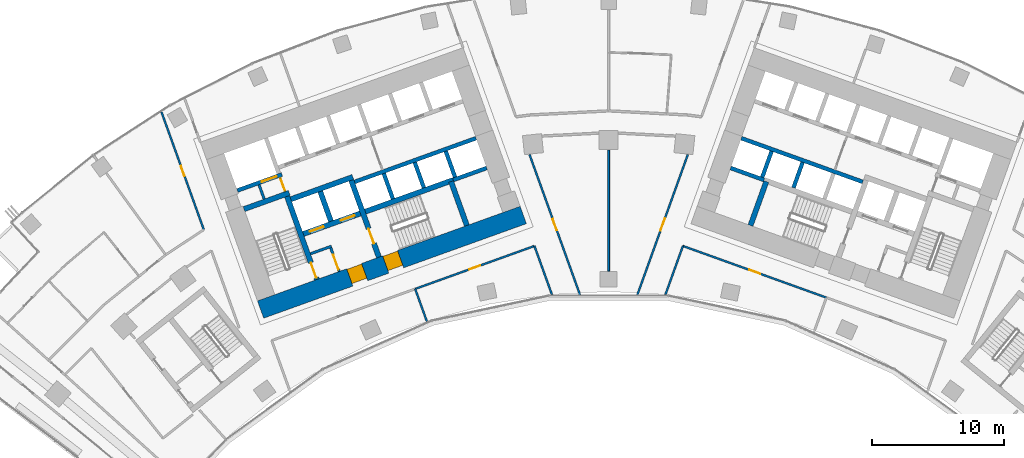
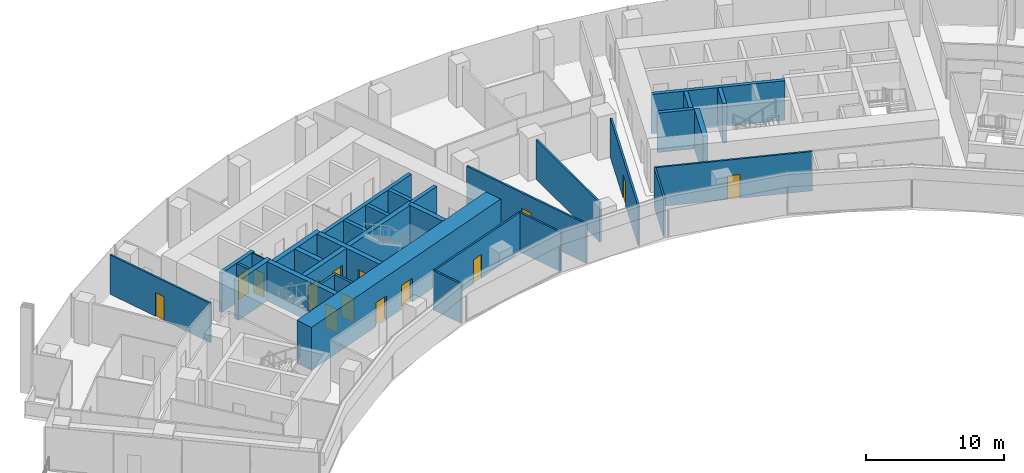
# One storey, part 14 of 20: 32 walls, 14 doors, 14 openings.
"""IFC4 building model written with IfcOpenShell, lengths in metres."""

from ifc_helpers import new_model, si_unit, direction, frame, frame_2d, origin, place, context, subcontext, project, spatial, rectangle, extrude, material, layer, layer_set, type_object, element, fill, save


model = new_model("IFC4")

# Units and contexts
model_context = context("Model", 3, precision=1e-05, world=origin(), true_north=direction((0.0, 1.0)))
body_context = subcontext(model_context, "Body", "Model", "MODEL_VIEW")
ifc_project = project(units=[si_unit("LENGTHUNIT", "METRE"), si_unit("AREAUNIT", "SQUARE_METRE"), si_unit("VOLUMEUNIT", "CUBIC_METRE"), si_unit("PLANEANGLEUNIT", "RADIAN"), si_unit("MASSUNIT", "GRAM", prefix="KILO")], contexts=[model_context])

# Site, building, storey
site_placement = place(None, origin())
site = spatial("IfcSite", under=ifc_project, at=site_placement, CompositionType="ELEMENT")
building_placement = place(site_placement, origin())
building = spatial("IfcBuilding", under=site, at=building_placement, Name="Stone Belt Terrace Tower", CompositionType="ELEMENT")
storey_placement = place(building_placement, frame((0.0, 0.0, 102.199951171875)))
storey = spatial("IfcBuildingStorey", under=building, at=storey_placement, Name="L24", CompositionType="ELEMENT", Elevation=102.199951171875)

# Wall, opening, door
ifc_material_1 = material(Name="Plasterboard partition")
ifc_layer_1 = layer(ifc_material_1, 0.10009765625)
ifc_layer_set_1 = layer_set([ifc_layer_1], Name="Core partition 100")
wall_type_1 = type_object("IfcWallType", Name="Core partition 100", PredefinedType="PARTITIONING", material=ifc_layer_set_1)
wall_1_placement = place(storey_placement, frame((-24.555908203125, 51.10400390625, 0.0), z_axis=(0.0, 0.0, 1.0), x_axis=(-0.338621735342, 0.94092258999, 0.0)))
wall_1 = element("IfcWall", 1, at=wall_1_placement, inside=storey, type_object=wall_type_1, Name="Core A wall", PredefinedType="PARTITIONING", context=body_context, shape_type="SweptSolid", body=[
    extrude(rectangle(XDim=1.14990234375, YDim=0.10009765625, at=frame_2d((0.574951171875, 0.0))), origin(), (0.0, 0.0, 1.0), 3.47998046875),
])
opening_1_placement = place(wall_1_placement, frame((0.050048828125, 0.0, 0.0)))
opening_1 = element("IfcOpeningElement", 2, at=opening_1_placement, cuts=wall_1, Name="Opening L24-C02", PredefinedType="OPENING", context=body_context, shape_type="SweptSolid", body=[
    extrude(rectangle(XDim=1.0, YDim=2.10009765625, at=frame_2d((0.5, 1.050048828125))), frame((0.0, 0.06005859375, 0.0), z_axis=(0.0, -1.0, 0.0), x_axis=(1.0, 0.0, 0.0)), (0.0, 0.0, 1.0), 0.1201171875),
])
ifc_material_2 = material(Name="Timber door leaf", Category="wood")
door_type_1 = type_object("IfcDoorType", Name="Core room door 1000", OperationType="SINGLE_SWING_LEFT", PredefinedType="DOOR", material=ifc_material_2)
door_1_placement = place(opening_1_placement, origin())
door_1 = element("IfcDoor", 3, at=door_1_placement, inside=storey, type_object=door_type_1, Name="Service lift lobby door core A", OperationType="SINGLE_SWING_LEFT", OverallHeight=2.10009765625, OverallWidth=1.0, PredefinedType="DOOR", context=body_context, shape_type="SweptSolid", body=[
    extrude(rectangle(XDim=1.0, YDim=2.10009765625, at=frame_2d((0.5, 1.050048828125))), frame((0.0, 0.02490234375, 0.0), z_axis=(0.0, -1.0, 0.0), x_axis=(1.0, 0.0, 0.0)), (0.0, 0.0, 1.0), 0.050048828125),
])
fill(opening_1, door_1)

# Wall, openings, doors
ifc_material_3 = material(Name="Concrete B80", Category="concrete")
ifc_layer_2 = layer(ifc_material_3, 1.39990234375)
ifc_layer_set_2 = layer_set([ifc_layer_2], Name="Core wall 1400 B80")
wall_type_2 = type_object("IfcWallType", Name="Core wall 1400 B80", PredefinedType="SHEAR", material=ifc_layer_set_2)
wall_2_placement = place(storey_placement, frame((-26.430908203125, 42.139404296875, 0.0), z_axis=(0.0, 0.0, 1.0), x_axis=(0.940923374003, 0.33861955681, 0.0)))
wall_2 = element("IfcWall", 4, at=wall_2_placement, inside=storey, type_object=wall_type_2, Name="Core A wall concave L24", PredefinedType="SHEAR", context=body_context, shape_type="SweptSolid", body=[
    extrude(rectangle(XDim=21.199951171875, YDim=1.39990234375, at=frame_2d((10.60009765625, 0.0))), origin(), (0.0, 0.0, 1.0), 3.800048828125),
])
opening_2_placement = place(wall_2_placement, frame((7.199951171875, 0.0, 0.0)))
opening_2 = element("IfcOpeningElement", 5, at=opening_2_placement, cuts=wall_2, Name="Opening L24-C07", PredefinedType="OPENING", context=body_context, shape_type="SweptSolid", body=[
    extrude(rectangle(XDim=1.199951171875, YDim=2.10009765625, at=frame_2d((0.60009765625, 1.050048828125))), frame((0.0, 0.7099609375, 0.0), z_axis=(0.0, -1.0, 0.0), x_axis=(1.0, 0.0, 0.0)), (0.0, 0.0, 1.0), 1.419921875),
])
opening_3_placement = place(wall_2_placement, frame((10.099853515625, 0.0, 0.0)))
opening_3 = element("IfcOpeningElement", 6, at=opening_3_placement, cuts=wall_2, Name="Opening L24-C09", PredefinedType="OPENING", context=body_context, shape_type="SweptSolid", body=[
    extrude(rectangle(XDim=1.199951171875, YDim=2.10009765625, at=frame_2d((0.60009765625, 1.050048828125))), frame((0.0, 0.7099609375, 0.0), z_axis=(0.0, -1.0, 0.0), x_axis=(1.0, 0.0, 0.0)), (0.0, 0.0, 1.0), 1.419921875),
])
ifc_material_4 = material(Name="Steel door leaf", Category="steel")
door_type_2 = type_object("IfcDoorType", Name="Fire-fighting lobby door 1200", OperationType="SINGLE_SWING_LEFT", PredefinedType="DOOR", material=ifc_material_4)
door_2_placement = place(opening_2_placement, origin())
door_2 = element("IfcDoor", 7, at=door_2_placement, inside=storey, type_object=door_type_2, Name="Fire-fighting lobby door core A", OperationType="SINGLE_SWING_LEFT", OverallHeight=2.10009765625, OverallWidth=1.199951171875, PredefinedType="DOOR", context=body_context, shape_type="SweptSolid", body=[
    extrude(rectangle(XDim=1.199951171875, YDim=2.10009765625, at=frame_2d((0.60009765625, 1.050048828125))), frame((0.0, 0.655029296875, 0.0), z_axis=(0.0, -1.0, 0.0), x_axis=(1.0, 0.0, 0.0)), (0.0, 0.0, 1.0), 1.14990234375),
])
fill(opening_2, door_2)
door_type_3 = type_object("IfcDoorType", Name="Stair door 1200", OperationType="SINGLE_SWING_LEFT", PredefinedType="DOOR", material=ifc_material_4)
door_3_placement = place(opening_3_placement, origin())
door_3 = element("IfcDoor", 8, at=door_3_placement, inside=storey, type_object=door_type_3, Name="Stair 2 exit door core A", OperationType="SINGLE_SWING_RIGHT", OverallHeight=2.10009765625, OverallWidth=1.199951171875, PredefinedType="DOOR", context=body_context, shape_type="SweptSolid", body=[
    extrude(rectangle(XDim=1.199951171875, YDim=2.10009765625, at=frame_2d((0.60009765625, 1.050048828125))), frame((0.0, 0.655029296875, 0.0), z_axis=(0.0, -1.0, 0.0), x_axis=(1.0, 0.0, 0.0)), (0.0, 0.0, 1.0), 1.14990234375),
])
fill(opening_3, door_3)

# Walls
ifc_layer_3 = layer(ifc_material_3, 0.39990234375)
ifc_layer_set_3 = layer_set([ifc_layer_3], Name="Fire-fighting lift shaft wall 400")
wall_type_3 = type_object("IfcWallType", Name="Fire-fighting lift shaft wall 400", PredefinedType="SHEAR", material=ifc_layer_set_3)
wall_3_placement = place(storey_placement, frame((-24.130615234375, 50.512939453125, 0.0), z_axis=(0.0, 0.0, 1.0), x_axis=(0.94091168377, 0.338652038744, 0.0)))
element("IfcWall", 9, at=wall_3_placement, inside=storey, type_object=wall_type_3, Name="Core A wall", PredefinedType="SHEAR", context=body_context, shape_type="SweptSolid", body=[
    extrude(rectangle(XDim=5.000244140625, YDim=0.39990234375, at=frame_2d((2.5, 0.0))), origin(), (0.0, 0.0, 1.0), 3.47998046875),
])
wall_4_placement = place(storey_placement, frame((-21.0859375, 48.845458984375, 0.0), z_axis=(0.0, 0.0, 1.0), x_axis=(-0.338629416206, 0.940919825745, 0.0)))
element("IfcWall", 10, at=wall_4_placement, inside=storey, type_object=wall_type_3, Name="Core A wall", PredefinedType="SHEAR", context=body_context, shape_type="SweptSolid", body=[
    extrude(rectangle(XDim=2.400146484375, YDim=0.39990234375, at=frame_2d((1.2001953125, 0.0))), origin(), (0.0, 0.0, 1.0), 3.47998046875),
])

# Wall, opening, door
ifc_layer_4 = layer(ifc_material_3, 0.300048828125)
ifc_layer_set_4 = layer_set([ifc_layer_4], Name="Lift shaft wall 300")
wall_type_4 = type_object("IfcWallType", Name="Lift shaft wall 300", PredefinedType="SHEAR", material=ifc_layer_set_4)
wall_5_placement = place(storey_placement, frame((-28.195068359375, 51.17578125, 0.0), z_axis=(0.0, 0.0, 1.0), x_axis=(0.940901243567, 0.338681044427, 0.0)))
wall_5 = element("IfcWall", 11, at=wall_5_placement, inside=storey, type_object=wall_type_4, Name="Core A wall", PredefinedType="SHEAR", context=body_context, shape_type="SweptSolid", body=[
    extrude(rectangle(XDim=3.599853515625, YDim=0.300048828125, at=frame_2d((1.7998046875, 0.0))), origin(), (0.0, 0.0, 1.0), 3.47998046875),
])
opening_4_placement = place(wall_5_placement, frame((1.969970703125, 0.0, 0.0)))
opening_4 = element("IfcOpeningElement", 12, at=opening_4_placement, cuts=wall_5, Name="Opening L24-LD09", PredefinedType="OPENING", context=body_context, shape_type="SweptSolid", body=[
    extrude(rectangle(XDim=1.199951171875, YDim=2.199951171875, at=frame_2d((0.60009765625, 1.10009765625))), frame((0.0, 0.159912109375, 0.0), z_axis=(0.0, -1.0, 0.0), x_axis=(1.0, 0.0, 0.0)), (0.0, 0.0, 1.0), 0.320068359375),
])
ifc_material_5 = material(Name="Stainless steel door leaf", Category="steel")
door_type_4 = type_object("IfcDoorType", Name="Landing door 1200", OperationType="SLIDING_TO_LEFT", PredefinedType="DOOR", material=ifc_material_5)
door_4_placement = place(opening_4_placement, origin())
door_4 = element("IfcDoor", 13, at=door_4_placement, inside=storey, type_object=door_type_4, Name="Landing door SV1 core A", OperationType="SLIDING_TO_LEFT", OverallHeight=2.199951171875, OverallWidth=1.199951171875, PredefinedType="DOOR", context=body_context, shape_type="SweptSolid", body=[
    extrude(rectangle(XDim=1.199951171875, YDim=2.199951171875, at=frame_2d((0.60009765625, 1.10009765625))), frame((0.0, 0.02490234375, 0.0), z_axis=(0.0, -1.0, 0.0), x_axis=(1.0, 0.0, 0.0)), (0.0, 0.0, 1.0), 0.050048828125),
])
fill(opening_4, door_4)

# Walls
wall_6_placement = place(storey_placement, frame((-19.29052734375, 51.829833984375, 0.0), z_axis=(0.0, 0.0, 1.0), x_axis=(0.940925833398, 0.338612722803, 0.0)))
element("IfcWall", 14, at=wall_6_placement, inside=storey, type_object=wall_type_4, Name="Core A wall", PredefinedType="SHEAR", context=body_context, shape_type="SweptSolid", body=[
    extrude(rectangle(XDim=9.7998046875, YDim=0.300048828125, at=frame_2d((4.89990234375, 0.0))), origin(), (0.0, 0.0, 1.0), 3.47998046875),
])
for number, where, z_axis, x_axis, name in (
    (15, (-16.38134765625, 50.53857421875, 0.0), (0.0, 0.0, 1.0), (-0.338681515556, 0.940901073982, 0.0), "Core A wall"),
    (16, (-14.029052734375, 51.38525390625, 0.0), (0.0, 0.0, 1.0), (-0.338681515556, 0.940901073982, 0.0), "Core A wall"),
):
    element("IfcWall", number, at=place(storey_placement, frame(where, z_axis=z_axis, x_axis=x_axis)), inside=storey, type_object=wall_type_4, Name=name, PredefinedType="SHEAR", context=body_context, shape_type="SweptSolid", body=[
        extrude(rectangle(XDim=2.050048828125, YDim=0.300048828125, at=frame_2d((1.02490234375, 0.0))), origin(), (0.0, 0.0, 1.0), 3.47998046875),
    ])
wall_7_placement = place(storey_placement, frame((-11.797119140625, 51.975830078125, 0.0), z_axis=(0.0, 0.0, 1.0), x_axis=(0.940910465161, 0.33865542451, 0.0)))
element("IfcWall", 17, at=wall_7_placement, inside=storey, type_object=wall_type_4, Name="Core A wall", PredefinedType="SHEAR", context=body_context, shape_type="SweptSolid", body=[
    extrude(rectangle(XDim=2.69970703125, YDim=0.300048828125, at=frame_2d((1.349853515625, 0.0))), origin(), (0.0, 0.0, 1.0), 3.47998046875),
])
wall_8_placement = place(storey_placement, frame((-11.659912109375, 52.184814453125, 0.0), z_axis=(0.0, 0.0, 1.0), x_axis=(-0.338670064856, 0.940905195634, 0.0)))
element("IfcWall", 18, at=wall_8_placement, inside=storey, type_object=wall_type_4, Name="Core A wall", PredefinedType="SHEAR", context=body_context, shape_type="SweptSolid", body=[
    extrude(rectangle(XDim=2.099853515625, YDim=0.300048828125, at=frame_2d((1.0498046875, 0.0))), origin(), (0.0, 0.0, 1.0), 3.47998046875),
])
wall_9_placement = place(storey_placement, frame((19.29052734375, 51.829833984375, 0.0), z_axis=(0.0, 0.0, 1.0), x_axis=(-0.940925833398, 0.338612722803, 0.0)))
element("IfcWall", 19, at=wall_9_placement, inside=storey, type_object=wall_type_4, Name="Core B wall", PredefinedType="SHEAR", context=body_context, shape_type="SweptSolid", body=[
    extrude(rectangle(XDim=9.7998046875, YDim=0.300048828125, at=frame_2d((4.89990234375, 0.0))), origin(), (0.0, 0.0, 1.0), 3.47998046875),
])
wall_10_placement = place(storey_placement, frame((14.029052734375, 51.38525390625, 0.0), z_axis=(0.0, 0.0, 1.0), x_axis=(0.338681515556, 0.940901073982, 0.0)))
element("IfcWall", 20, at=wall_10_placement, inside=storey, type_object=wall_type_4, Name="Core B wall", PredefinedType="SHEAR", context=body_context, shape_type="SweptSolid", body=[
    extrude(rectangle(XDim=2.050048828125, YDim=0.300048828125, at=frame_2d((1.02490234375, 0.0))), origin(), (0.0, 0.0, 1.0), 3.47998046875),
])
wall_11_placement = place(storey_placement, frame((11.797119140625, 51.975830078125, 0.0), z_axis=(0.0, 0.0, 1.0), x_axis=(-0.940910465161, 0.33865542451, 0.0)))
element("IfcWall", 21, at=wall_11_placement, inside=storey, type_object=wall_type_4, Name="Core B wall", PredefinedType="SHEAR", context=body_context, shape_type="SweptSolid", body=[
    extrude(rectangle(XDim=2.69970703125, YDim=0.300048828125, at=frame_2d((1.349853515625, 0.0))), origin(), (0.0, 0.0, 1.0), 3.47998046875),
])
wall_12_placement = place(storey_placement, frame((11.659912109375, 52.184814453125, 0.0), z_axis=(0.0, 0.0, 1.0), x_axis=(0.338670064856, 0.940905195634, 0.0)))
element("IfcWall", 22, at=wall_12_placement, inside=storey, type_object=wall_type_4, Name="Core B wall", PredefinedType="SHEAR", context=body_context, shape_type="SweptSolid", body=[
    extrude(rectangle(XDim=2.099853515625, YDim=0.300048828125, at=frame_2d((1.0498046875, 0.0))), origin(), (0.0, 0.0, 1.0), 3.47998046875),
])

# Wall, opening, door
ifc_material_6 = material(Name="Gypsum board partition")
ifc_layer_5 = layer(ifc_material_6, 0.14990234375)
ifc_layer_set_5 = layer_set([ifc_layer_5], Name="PARTITION 150 EI 60")
wall_type_5 = type_object("IfcWallType", Name="PARTITION 150 EI 60", PredefinedType="PARTITIONING", material=ifc_layer_set_5)
wall_13_placement = place(storey_placement, frame((-30.737060546875, 48.197021484375, 0.0), z_axis=(0.0, 0.0, 1.0), x_axis=(-0.338586530295, 0.940935258933, 0.0)))
wall_13 = element("IfcWall", 23, at=wall_13_placement, inside=storey, type_object=wall_type_5, Name="L24/wall/i005", PredefinedType="PARTITIONING", context=body_context, shape_type="SweptSolid", body=[
    extrude(rectangle(XDim=9.494873046875, YDim=0.14990234375, at=frame_2d((4.74755859375, 0.0))), origin(), (0.0, 0.0, 1.0), 3.47998046875),
])
opening_5_placement = place(wall_13_placement, frame((4.347412109375, 0.0, 0.0)))
opening_5 = element("IfcOpeningElement", 24, at=opening_5_placement, cuts=wall_13, Name="Opening D-B3-12", PredefinedType="OPENING", context=body_context, shape_type="SweptSolid", body=[
    extrude(rectangle(XDim=0.800048828125, YDim=2.10009765625, at=frame_2d((0.39990234375, 1.050048828125))), frame((0.0, 0.0849609375, 0.0), z_axis=(0.0, -1.0, 0.0), x_axis=(1.0, 0.0, 0.0)), (0.0, 0.0, 1.0), 0.169921875),
])
door_type_5 = type_object("IfcDoorType", Name="STORE DOOR 800 X 2100", OperationType="NOTDEFINED", PredefinedType="DOOR", material=ifc_material_2)
door_5_placement = place(opening_5_placement, origin())
door_5 = element("IfcDoor", 25, at=door_5_placement, inside=storey, type_object=door_type_5, Name="L24/door/i12", OperationType="SINGLE_SWING_RIGHT", OverallHeight=2.10009765625, OverallWidth=0.800048828125, PredefinedType="DOOR", context=body_context, shape_type="SweptSolid", body=[
    extrude(rectangle(XDim=0.800048828125, YDim=2.10009765625, at=frame_2d((0.39990234375, 1.050048828125))), frame((0.0, 0.02490234375, 0.0), z_axis=(0.0, -1.0, 0.0), x_axis=(1.0, 0.0, 0.0)), (0.0, 0.0, 1.0), 0.050048828125),
])
fill(opening_5, door_5)

# Wall
wall_14_placement = place(storey_placement, frame((-4.31005859375, 43.27783203125, 0.0), z_axis=(0.0, 0.0, 1.0), x_axis=(-0.338490436495, 0.940969831823, 0.0)))
element("IfcWall", 26, at=wall_14_placement, inside=storey, type_object=wall_type_5, Name="L24/wall/i006", PredefinedType="PARTITIONING", context=body_context, shape_type="SweptSolid", body=[
    extrude(rectangle(XDim=3.92578125, YDim=0.14990234375, at=frame_2d((1.962890625, 0.0))), origin(), (0.0, 0.0, 1.0), 3.47998046875),
])

# Wall, opening, door
wall_15_placement = place(storey_placement, frame((-6.011962890625, 53.911865234375, 0.0), z_axis=(0.0, 0.0, 1.0), x_axis=(0.338656837626, -0.940909956547, 0.0)))
wall_15 = element("IfcWall", 27, at=wall_15_placement, inside=storey, type_object=wall_type_5, Name="L24/wall/i008", PredefinedType="PARTITIONING", context=body_context, shape_type="SweptSolid", body=[
    extrude(rectangle(XDim=11.319091796875, YDim=0.14990234375, at=frame_2d((5.65966796875, 0.0))), origin(), (0.0, 0.0, 1.0), 3.47998046875),
])
opening_6_placement = place(wall_15_placement, frame((5.20947265625, 0.0, 0.0)))
opening_6 = element("IfcOpeningElement", 28, at=opening_6_placement, cuts=wall_15, Name="Opening D-B3-26", PredefinedType="OPENING", context=body_context, shape_type="SweptSolid", body=[
    extrude(rectangle(XDim=0.89990234375, YDim=2.10009765625, at=frame_2d((0.449951171875, 1.050048828125))), frame((0.0, 0.0849609375, 0.0), z_axis=(0.0, -1.0, 0.0), x_axis=(1.0, 0.0, 0.0)), (0.0, 0.0, 1.0), 0.169921875),
])
door_type_6 = type_object("IfcDoorType", Name="OFFICE DOOR 900 X 2100", OperationType="NOTDEFINED", PredefinedType="DOOR", material=ifc_material_2)
door_6_placement = place(opening_6_placement, origin())
door_6 = element("IfcDoor", 29, at=door_6_placement, inside=storey, type_object=door_type_6, Name="L24/door/i26", OperationType="SINGLE_SWING_RIGHT", OverallHeight=2.10009765625, OverallWidth=0.89990234375, PredefinedType="DOOR", context=body_context, shape_type="SweptSolid", body=[
    extrude(rectangle(XDim=0.89990234375, YDim=2.10009765625, at=frame_2d((0.449951171875, 1.050048828125))), frame((0.0, 0.02490234375, 0.0), z_axis=(0.0, -1.0, 0.0), x_axis=(1.0, 0.0, 0.0)), (0.0, 0.0, 1.0), 0.050048828125),
])
fill(opening_6, door_6)

wall_16_placement = place(storey_placement, frame((-5.636962890625, 46.966064453125, 0.0), z_axis=(0.0, 0.0, 1.0), x_axis=(-0.940920049303, -0.338628795025, 0.0)))
wall_16 = element("IfcWall", 30, at=wall_16_placement, inside=storey, type_object=wall_type_5, Name="L24/wall/i011", PredefinedType="PARTITIONING", context=body_context, shape_type="SweptSolid", body=[
    extrude(rectangle(XDim=9.6298828125, YDim=0.14990234375, at=frame_2d((4.81494140625, 0.0))), origin(), (0.0, 0.0, 1.0), 3.47998046875),
])
opening_7_placement = place(wall_16_placement, frame((4.364990234375, 0.0, 0.0)))
opening_7 = element("IfcOpeningElement", 31, at=opening_7_placement, cuts=wall_16, Name="Opening D-B3-02", PredefinedType="OPENING", context=body_context, shape_type="SweptSolid", body=[
    extrude(rectangle(XDim=0.89990234375, YDim=2.10009765625, at=frame_2d((0.449951171875, 1.050048828125))), frame((0.0, 0.0849609375, 0.0), z_axis=(0.0, -1.0, 0.0), x_axis=(1.0, 0.0, 0.0)), (0.0, 0.0, 1.0), 0.169921875),
])
door_7_placement = place(opening_7_placement, origin())
door_7 = element("IfcDoor", 32, at=door_7_placement, inside=storey, type_object=door_type_6, Name="L24/door/i02", OperationType="SINGLE_SWING_RIGHT", OverallHeight=2.10009765625, OverallWidth=0.89990234375, PredefinedType="DOOR", context=body_context, shape_type="SweptSolid", body=[
    extrude(rectangle(XDim=0.89990234375, YDim=2.10009765625, at=frame_2d((0.449951171875, 1.050048828125))), frame((0.0, 0.02490234375, 0.0), z_axis=(0.0, -1.0, 0.0), x_axis=(1.0, 0.0, 0.0)), (0.0, 0.0, 1.0), 0.050048828125),
])
fill(opening_7, door_7)

# Walls
wall_17_placement = place(storey_placement, frame((-14.69189453125, 43.70703125, 0.0), z_axis=(0.0, 0.0, 1.0), x_axis=(0.338781932317, -0.940864922471, 0.0)))
element("IfcWall", 33, at=wall_17_placement, inside=storey, type_object=wall_type_5, Name="L24/wall/i012", PredefinedType="PARTITIONING", context=body_context, shape_type="SweptSolid", body=[
    extrude(rectangle(XDim=2.629638671875, YDim=0.14990234375, at=frame_2d((1.31494140625, 0.0))), origin(), (0.0, 0.0, 1.0), 3.47998046875),
])
wall_18_placement = place(storey_placement, frame((5.638916015625, 46.971923828125, 0.0), z_axis=(0.0, 0.0, 1.0), x_axis=(-0.338490436495, -0.940969831823, 0.0)))
element("IfcWall", 34, at=wall_18_placement, inside=storey, type_object=wall_type_5, Name="L24/wall/i014", PredefinedType="PARTITIONING", context=body_context, shape_type="SweptSolid", body=[
    extrude(rectangle(XDim=3.92578125, YDim=0.14990234375, at=frame_2d((1.962890625, 0.0))), origin(), (0.0, 0.0, 1.0), 3.47998046875),
])

# Wall, opening, door
wall_19_placement = place(storey_placement, frame((2.1787109375, 43.26171875, 0.0), z_axis=(0.0, 0.0, 1.0), x_axis=(0.338656837626, 0.940909956547, 0.0)))
wall_19 = element("IfcWall", 35, at=wall_19_placement, inside=storey, type_object=wall_type_5, Name="L24/wall/i016", PredefinedType="PARTITIONING", context=body_context, shape_type="SweptSolid", body=[
    extrude(rectangle(XDim=11.319091796875, YDim=0.14990234375, at=frame_2d((5.65966796875, 0.0))), origin(), (0.0, 0.0, 1.0), 3.47998046875),
])
opening_8_placement = place(wall_19_placement, frame((5.159423828125, 0.0, 0.0)))
opening_8 = element("IfcOpeningElement", 36, at=opening_8_placement, cuts=wall_19, Name="Opening D-B3-27", PredefinedType="OPENING", context=body_context, shape_type="SweptSolid", body=[
    extrude(rectangle(XDim=1.0, YDim=2.10009765625, at=frame_2d((0.5, 1.050048828125))), frame((0.0, 0.0849609375, 0.0), z_axis=(0.0, -1.0, 0.0), x_axis=(1.0, 0.0, 0.0)), (0.0, 0.0, 1.0), 0.169921875),
])
ifc_material_7 = material(Name="Timber fire door leaf", Category="wood")
door_type_7 = type_object("IfcDoorType", Name="TENANCY ENTRANCE DOOR 1000 X 2100", OperationType="NOTDEFINED", PredefinedType="DOOR", material=ifc_material_7)
door_8_placement = place(opening_8_placement, origin())
door_8 = element("IfcDoor", 37, at=door_8_placement, inside=storey, type_object=door_type_7, Name="L24/door/i27", OperationType="SINGLE_SWING_LEFT", OverallHeight=2.10009765625, OverallWidth=1.0, PredefinedType="DOOR", context=body_context, shape_type="SweptSolid", body=[
    extrude(rectangle(XDim=1.0, YDim=2.10009765625, at=frame_2d((0.5, 1.050048828125))), frame((0.0, 0.02490234375, 0.0), z_axis=(0.0, -1.0, 0.0), x_axis=(1.0, 0.0, 0.0)), (0.0, 0.0, 1.0), 0.050048828125),
])
fill(opening_8, door_8)

wall_20_placement = place(storey_placement, frame((16.534912109375, 43.0439453125, 0.0), z_axis=(0.0, 0.0, 1.0), x_axis=(-0.940918846989, 0.338632135778, 0.0)))
wall_20 = element("IfcWall", 38, at=wall_20_placement, inside=storey, type_object=wall_type_5, Name="L24/wall/i024", PredefinedType="PARTITIONING", context=body_context, shape_type="SweptSolid", body=[
    extrude(rectangle(XDim=11.582275390625, YDim=0.14990234375, at=frame_2d((5.791015625, 0.0))), origin(), (0.0, 0.0, 1.0), 3.47998046875),
])
opening_9_placement = place(wall_20_placement, frame((5.341064453125, 0.0, 0.0)))
opening_9 = element("IfcOpeningElement", 39, at=opening_9_placement, cuts=wall_20, Name="Opening D-B3-05", PredefinedType="OPENING", context=body_context, shape_type="SweptSolid", body=[
    extrude(rectangle(XDim=0.89990234375, YDim=2.10009765625, at=frame_2d((0.449951171875, 1.050048828125))), frame((0.0, 0.0849609375, 0.0), z_axis=(0.0, -1.0, 0.0), x_axis=(1.0, 0.0, 0.0)), (0.0, 0.0, 1.0), 0.169921875),
])
door_9_placement = place(opening_9_placement, origin())
door_9 = element("IfcDoor", 40, at=door_9_placement, inside=storey, type_object=door_type_6, Name="L24/door/i05", OperationType="SINGLE_SWING_RIGHT", OverallHeight=2.10009765625, OverallWidth=0.89990234375, PredefinedType="DOOR", context=body_context, shape_type="SweptSolid", body=[
    extrude(rectangle(XDim=0.89990234375, YDim=2.10009765625, at=frame_2d((0.449951171875, 1.050048828125))), frame((0.0, 0.02490234375, 0.0), z_axis=(0.0, -1.0, 0.0), x_axis=(1.0, 0.0, 0.0)), (0.0, 0.0, 1.0), 0.050048828125),
])
fill(opening_9, door_9)

# Walls
wall_21_placement = place(storey_placement, frame((0.0, 54.2451171875, 0.0), z_axis=(0.0, 0.0, 1.0), x_axis=(0.0, -1.0, 0.0)))
element("IfcWall", 41, at=wall_21_placement, inside=storey, type_object=wall_type_5, Name="L24/wall/i090", PredefinedType="PARTITIONING", context=body_context, shape_type="SweptSolid", body=[
    extrude(rectangle(XDim=9.195068359375, YDim=0.14990234375, at=frame_2d((4.59765625, 0.0))), origin(), (0.0, 0.0, 1.0), 3.47998046875),
])
ifc_material_8 = material(Name="Concrete masonry block", Category="masonry")
ifc_layer_6 = layer(ifc_material_8, 0.199951171875)
ifc_layer_set_6 = layer_set([ifc_layer_6], Name="Rated lobby wall 200")
wall_type_6 = type_object("IfcWallType", Name="Rated lobby wall 200", PredefinedType="PARTITIONING", material=ifc_layer_set_6)
wall_22_placement = place(storey_placement, frame((-26.1552734375, 50.5283203125, 0.0), z_axis=(0.0, 0.0, 1.0), x_axis=(-0.338621735342, 0.94092258999, 0.0)))
element("IfcWall", 42, at=wall_22_placement, inside=storey, type_object=wall_type_6, Name="Core A wall", PredefinedType="PARTITIONING", context=body_context, shape_type="SweptSolid", body=[
    extrude(rectangle(XDim=1.14990234375, YDim=0.199951171875, at=frame_2d((0.574951171875, 0.0))), origin(), (0.0, 0.0, 1.0), 3.47998046875),
])
wall_23_placement = place(storey_placement, frame((-22.640625, 46.373046875, 0.0), z_axis=(0.0, 0.0, 1.0), x_axis=(0.940966110313, 0.338500781747, 0.0)))
element("IfcWall", 43, at=wall_23_placement, inside=storey, type_object=wall_type_6, Name="Core A wall", PredefinedType="PARTITIONING", context=body_context, shape_type="SweptSolid", body=[
    extrude(rectangle(XDim=1.699951171875, YDim=0.199951171875, at=frame_2d((0.85009765625, 0.0))), origin(), (0.0, 0.0, 1.0), 3.47998046875),
])

# Wall, opening, door
wall_24_placement = place(storey_placement, frame((-20.4580078125, 45.032958984375, 0.0), z_axis=(0.0, 0.0, 1.0), x_axis=(-0.338573865316, 0.940939816208, 0.0)))
wall_24 = element("IfcWall", 44, at=wall_24_placement, inside=storey, type_object=wall_type_6, Name="Core A wall", PredefinedType="PARTITIONING", context=body_context, shape_type="SweptSolid", body=[
    extrude(rectangle(XDim=1.900146484375, YDim=0.199951171875, at=frame_2d((0.9501953125, 0.0))), origin(), (0.0, 0.0, 1.0), 3.47998046875),
])
opening_10_placement = place(wall_24_placement, frame((0.14990234375, 0.0, 0.0)))
opening_10 = element("IfcOpeningElement", 45, at=opening_10_placement, cuts=wall_24, Name="Opening L24-C06", PredefinedType="OPENING", context=body_context, shape_type="SweptSolid", body=[
    extrude(rectangle(XDim=1.199951171875, YDim=2.10009765625, at=frame_2d((0.60009765625, 1.050048828125))), frame((0.0, 0.10986328125, 0.0), z_axis=(0.0, -1.0, 0.0), x_axis=(1.0, 0.0, 0.0)), (0.0, 0.0, 1.0), 0.219970703125),
])
door_10_placement = place(opening_10_placement, origin())
door_10 = element("IfcDoor", 46, at=door_10_placement, inside=storey, type_object=door_type_3, Name="Stair airlock door core A", OperationType="SINGLE_SWING_LEFT", OverallHeight=2.10009765625, OverallWidth=1.199951171875, PredefinedType="DOOR", context=body_context, shape_type="SweptSolid", body=[
    extrude(rectangle(XDim=1.199951171875, YDim=2.10009765625, at=frame_2d((0.60009765625, 1.050048828125))), frame((0.0, 0.02490234375, 0.0), z_axis=(0.0, -1.0, 0.0), x_axis=(1.0, 0.0, 0.0)), (0.0, 0.0, 1.0), 0.050048828125),
])
fill(opening_10, door_10)

# Wall
ifc_layer_7 = layer(ifc_material_3, 0.39990234375)
ifc_layer_set_7 = layer_set([ifc_layer_7], Name="Stair enclosure wall 400")
wall_type_7 = type_object("IfcWallType", Name="Stair enclosure wall 400", PredefinedType="SHEAR", material=ifc_layer_set_7)
wall_25_placement = place(storey_placement, frame((-27.687255859375, 49.764404296875, 0.0), z_axis=(0.0, 0.0, 1.0), x_axis=(0.940918954884, 0.338631835981, 0.0)))
element("IfcWall", 47, at=wall_25_placement, inside=storey, type_object=wall_type_7, Name="Core A wall", PredefinedType="SHEAR", context=body_context, shape_type="SweptSolid", body=[
    extrude(rectangle(XDim=3.650146484375, YDim=0.39990234375, at=frame_2d((1.8251953125, 0.0))), origin(), (0.0, 0.0, 1.0), 3.47998046875),
])

# Wall, opening, door
wall_26_placement = place(storey_placement, frame((-22.151611328125, 44.42333984375, 0.0), z_axis=(0.0, 0.0, 1.0), x_axis=(-0.338625272931, 0.940921316866, 0.0)))
wall_26 = element("IfcWall", 48, at=wall_26_placement, inside=storey, type_object=wall_type_7, Name="Core A wall", PredefinedType="SHEAR", context=body_context, shape_type="SweptSolid", body=[
    extrude(rectangle(XDim=6.699951171875, YDim=0.39990234375, at=frame_2d((3.35009765625, 0.0))), origin(), (0.0, 0.0, 1.0), 3.47998046875),
])
opening_11_placement = place(wall_26_placement, frame((0.14990234375, 0.0, 0.0)))
opening_11 = element("IfcOpeningElement", 49, at=opening_11_placement, cuts=wall_26, Name="Opening L24-C05", PredefinedType="OPENING", context=body_context, shape_type="SweptSolid", body=[
    extrude(rectangle(XDim=1.199951171875, YDim=2.10009765625, at=frame_2d((0.60009765625, 1.050048828125))), frame((0.0, 0.2099609375, 0.0), z_axis=(0.0, -1.0, 0.0), x_axis=(1.0, 0.0, 0.0)), (0.0, 0.0, 1.0), 0.419921875),
])
door_11_placement = place(opening_11_placement, origin())
door_11 = element("IfcDoor", 50, at=door_11_placement, inside=storey, type_object=door_type_3, Name="Stair 1 door core A", OperationType="SINGLE_SWING_LEFT", OverallHeight=2.10009765625, OverallWidth=1.199951171875, PredefinedType="DOOR", context=body_context, shape_type="SweptSolid", body=[
    extrude(rectangle(XDim=1.199951171875, YDim=2.10009765625, at=frame_2d((0.60009765625, 1.050048828125))), frame((0.0, 0.02490234375, 0.0), z_axis=(0.0, -1.0, 0.0), x_axis=(1.0, 0.0, 0.0)), (0.0, 0.0, 1.0), 0.050048828125),
])
fill(opening_11, door_11)

# Wall, openings, doors
wall_27_placement = place(storey_placement, frame((-23.182373046875, 47.87841796875, 0.0), z_axis=(0.0, 0.0, 1.0), x_axis=(0.940921101762, 0.338625870628, 0.0)))
wall_27 = element("IfcWall", 51, at=wall_27_placement, inside=storey, type_object=wall_type_7, Name="Core A wall", PredefinedType="SHEAR", context=body_context, shape_type="SweptSolid", body=[
    extrude(rectangle(XDim=12.10009765625, YDim=0.39990234375, at=frame_2d((6.050048828125, 0.0))), origin(), (0.0, 0.0, 1.0), 3.47998046875),
])
opening_12_placement = place(wall_27_placement, frame((0.52001953125, 0.0, 0.0)))
opening_12 = element("IfcOpeningElement", 52, at=opening_12_placement, cuts=wall_27, Name="Opening L24-LD07", PredefinedType="OPENING", context=body_context, shape_type="SweptSolid", body=[
    extrude(rectangle(XDim=1.10009765625, YDim=2.199951171875, at=frame_2d((0.550048828125, 1.10009765625))), frame((0.0, 0.2099609375, 0.0), z_axis=(0.0, -1.0, 0.0), x_axis=(1.0, 0.0, 0.0)), (0.0, 0.0, 1.0), 0.419921875),
])
opening_13_placement = place(wall_27_placement, frame((3.02001953125, 0.0, 0.0)))
opening_13 = element("IfcOpeningElement", 53, at=opening_13_placement, cuts=wall_27, Name="Opening L24-LD08", PredefinedType="OPENING", context=body_context, shape_type="SweptSolid", body=[
    extrude(rectangle(XDim=1.10009765625, YDim=2.199951171875, at=frame_2d((0.550048828125, 1.10009765625))), frame((0.0, 0.2099609375, 0.0), z_axis=(0.0, -1.0, 0.0), x_axis=(1.0, 0.0, 0.0)), (0.0, 0.0, 1.0), 0.419921875),
])
door_type_8 = type_object("IfcDoorType", Name="Landing door 1100", OperationType="SLIDING_TO_LEFT", PredefinedType="DOOR", material=ifc_material_5)
door_12_placement = place(opening_12_placement, origin())
door_12 = element("IfcDoor", 54, at=door_12_placement, inside=storey, type_object=door_type_8, Name="Landing door FF1 core A", OperationType="SLIDING_TO_LEFT", OverallHeight=2.199951171875, OverallWidth=1.10009765625, PredefinedType="DOOR", context=body_context, shape_type="SweptSolid", body=[
    extrude(rectangle(XDim=1.10009765625, YDim=2.199951171875, at=frame_2d((0.550048828125, 1.10009765625))), frame((0.0, 0.02490234375, 0.0), z_axis=(0.0, -1.0, 0.0), x_axis=(1.0, 0.0, 0.0)), (0.0, 0.0, 1.0), 0.050048828125),
])
fill(opening_12, door_12)
door_13_placement = place(opening_13_placement, origin())
door_13 = element("IfcDoor", 55, at=door_13_placement, inside=storey, type_object=door_type_8, Name="Landing door FF2 core A", OperationType="SLIDING_TO_LEFT", OverallHeight=2.199951171875, OverallWidth=1.10009765625, PredefinedType="DOOR", context=body_context, shape_type="SweptSolid", body=[
    extrude(rectangle(XDim=1.10009765625, YDim=2.199951171875, at=frame_2d((0.550048828125, 1.10009765625))), frame((0.0, 0.02490234375, 0.0), z_axis=(0.0, -1.0, 0.0), x_axis=(1.0, 0.0, 0.0)), (0.0, 0.0, 1.0), 0.050048828125),
])
fill(opening_13, door_13)

# Wall, opening, door
wall_28_placement = place(storey_placement, frame((-17.447021484375, 46.116455078125, 0.0), z_axis=(0.0, 0.0, 1.0), x_axis=(-0.33860791464, 0.940927563707, 0.0)))
wall_28 = element("IfcWall", 56, at=wall_28_placement, inside=storey, type_object=wall_type_7, Name="Core A wall", PredefinedType="SHEAR", context=body_context, shape_type="SweptSolid", body=[
    extrude(rectangle(XDim=6.199951171875, YDim=0.39990234375, at=frame_2d((3.10009765625, 0.0))), origin(), (0.0, 0.0, 1.0), 3.47998046875),
])
opening_14_placement = place(wall_28_placement, frame((1.10009765625, 0.0, 0.0)))
opening_14 = element("IfcOpeningElement", 57, at=opening_14_placement, cuts=wall_28, Name="Opening L24-C08", PredefinedType="OPENING", context=body_context, shape_type="SweptSolid", body=[
    extrude(rectangle(XDim=1.199951171875, YDim=2.10009765625, at=frame_2d((0.60009765625, 1.050048828125))), frame((0.0, 0.2099609375, 0.0), z_axis=(0.0, -1.0, 0.0), x_axis=(1.0, 0.0, 0.0)), (0.0, 0.0, 1.0), 0.419921875),
])
door_14_placement = place(opening_14_placement, origin())
door_14 = element("IfcDoor", 58, at=door_14_placement, inside=storey, type_object=door_type_3, Name="Stair 2 door core A", OperationType="SINGLE_SWING_LEFT", OverallHeight=2.10009765625, OverallWidth=1.199951171875, PredefinedType="DOOR", context=body_context, shape_type="SweptSolid", body=[
    extrude(rectangle(XDim=1.199951171875, YDim=2.10009765625, at=frame_2d((0.60009765625, 1.050048828125))), frame((0.0, 0.02490234375, 0.0), z_axis=(0.0, -1.0, 0.0), x_axis=(1.0, 0.0, 0.0)), (0.0, 0.0, 1.0), 0.050048828125),
])
fill(opening_14, door_14)

# Walls
for number, where, z_axis, x_axis, name in (
    (59, (-10.766357421875, 48.520751953125, 0.0), (0.0, 0.0, 1.0), (-0.338626928157, 0.94092072117, 0.0), "Core A wall"),
    (60, (10.766357421875, 48.520751953125, 0.0), (0.0, 0.0, 1.0), (0.338626928157, 0.94092072117, 0.0), "Core B wall"),
):
    element("IfcWall", number, at=place(storey_placement, frame(where, z_axis=z_axis, x_axis=x_axis)), inside=storey, type_object=wall_type_7, Name=name, PredefinedType="SHEAR", context=body_context, shape_type="SweptSolid", body=[
        extrude(rectangle(XDim=3.550048828125, YDim=0.39990234375, at=frame_2d((1.77490234375, 0.0))), origin(), (0.0, 0.0, 1.0), 3.47998046875),
    ])

save(model, "model.ifc")
